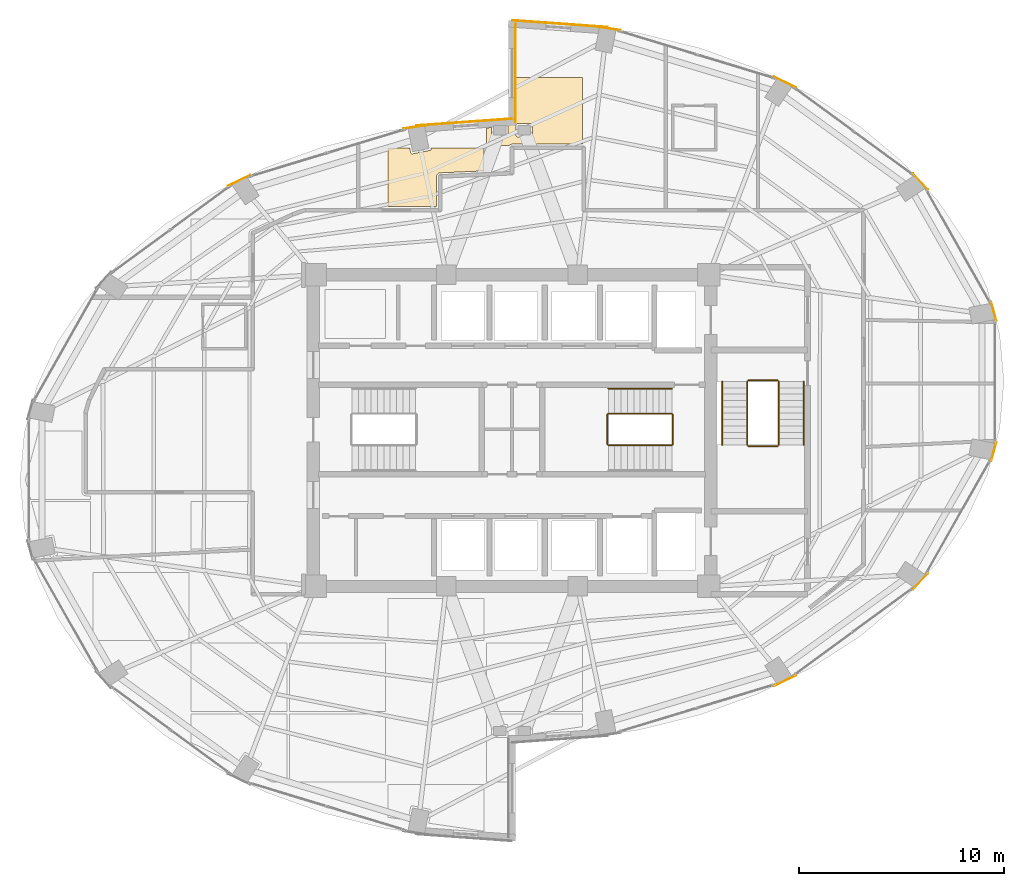
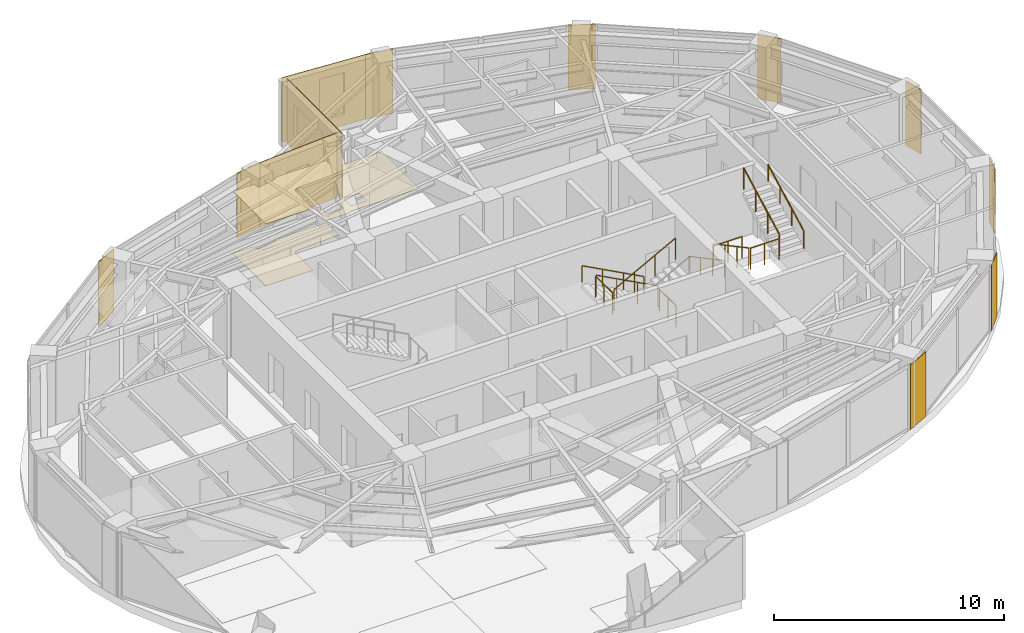
# One storey, part 20 of 20: 15 coverings, 11 railings.
"""IFC4 building model written with IfcOpenShell, lengths in metres."""

from ifc_helpers import new_model, si_unit, direction, frame, origin, origin_2d, place, context, subcontext, project, spatial, polyline, rectangle, circle, outline, extrude, material, layer, layer_set, type_object, element, save


model = new_model("IFC4")

# Units and contexts
model_context = context("Model", 3, precision=1e-05, world=origin(), true_north=direction((0.0, 1.0)))
body_context = subcontext(model_context, "Body", "Model", "MODEL_VIEW")
ifc_project = project(units=[si_unit("LENGTHUNIT", "METRE"), si_unit("AREAUNIT", "SQUARE_METRE"), si_unit("VOLUMEUNIT", "CUBIC_METRE"), si_unit("PLANEANGLEUNIT", "RADIAN"), si_unit("MASSUNIT", "GRAM", prefix="KILO")], contexts=[model_context])

# Site, building, storey
site_placement = place(None, origin())
site = spatial("IfcSite", under=ifc_project, at=site_placement, CompositionType="ELEMENT")
building_placement = place(site_placement, origin())
building = spatial("IfcBuilding", under=site, at=building_placement, Name="Lazwardi Medical Tower", CompositionType="ELEMENT")
storey_placement = place(building_placement, frame((0.0, 0.0, 138.2880859375)))
storey = spatial("IfcBuildingStorey", under=building, at=storey_placement, Name="L35", CompositionType="ELEMENT", Elevation=138.2880859375)

# Coverings
ifc_material_1 = material(Name="Anodised bronze aluminium cassette cladding", Category="aluminium")
ifc_layer_1 = layer(ifc_material_1, 0.030029296875)
ifc_layer_set_1 = layer_set([ifc_layer_1], Name="Anodised bronze aluminium cassette cladding")
covering_type_1 = type_object("IfcCoveringType", Name="COV-CLD-BRZ", PredefinedType="CLADDING", material=ifc_layer_set_1)
covering_1_placement = place(storey_placement, frame((49.31103515625, 15.798095703125, 0.0), z_axis=(0.0, 0.0, 1.0), x_axis=(0.898079014814, 0.439834154144, 0.0)))
element("IfcCovering", 1, at=covering_1_placement, inside=storey, type_object=covering_type_1, Name="L35 Mega-column bronze cassette cover M02", PredefinedType="CLADDING", context=body_context, shape_type="SweptSolid", body=[
    extrude(rectangle(XDim=1.200439453125, YDim=0.030029296875, at=origin_2d()), origin(), (0.0, 0.0, 1.0), 3.427978515625),
])
covering_2_placement = place(storey_placement, frame((55.92138671875, 20.643310546875, 0.0), z_axis=(0.0, 0.0, 1.0), x_axis=(0.673714459537, 0.738991763832, 0.0)))
element("IfcCovering", 2, at=covering_2_placement, inside=storey, type_object=covering_type_1, Name="L35 Mega-column bronze cassette cover M03", PredefinedType="CLADDING", context=body_context, shape_type="SweptSolid", body=[
    extrude(rectangle(XDim=1.0693359375, YDim=0.030029296875, at=origin_2d()), origin(), (0.0, 0.0, 1.0), 3.427978515625),
])
for number, where, z_axis, x_axis, name in (
    (3, (59.498779296875, 26.973876953125, 0.0), (0.0, 0.0, 1.0), (0.261828726257, 0.965114354938, 0.0), "L35 Mega-column bronze cassette cover M04"),
    (4, (59.498779296875, 33.826171875, 0.0), (0.0, 0.0, 1.0), (-0.261828726257, 0.965114354938, 0.0), "L35 Mega-column bronze cassette cover M05"),
):
    element("IfcCovering", number, at=place(storey_placement, frame(where, z_axis=z_axis, x_axis=x_axis)), inside=storey, type_object=covering_type_1, Name=name, PredefinedType="CLADDING", context=body_context, shape_type="SweptSolid", body=[
        extrude(rectangle(XDim=0.9658203125, YDim=0.030029296875, at=origin_2d()), origin(), (0.0, 0.0, 1.0), 3.427978515625),
    ])
covering_3_placement = place(storey_placement, frame((55.92138671875, 40.15673828125, 0.0), z_axis=(0.0, 0.0, 1.0), x_axis=(-0.673714459537, 0.738991763832, 0.0)))
element("IfcCovering", 5, at=covering_3_placement, inside=storey, type_object=covering_type_1, Name="L35 Mega-column bronze cassette cover M06", PredefinedType="CLADDING", context=body_context, shape_type="SweptSolid", body=[
    extrude(rectangle(XDim=1.0693359375, YDim=0.030029296875, at=origin_2d()), origin(), (0.0, 0.0, 1.0), 3.427978515625),
])
covering_4_placement = place(storey_placement, frame((49.31103515625, 45.001953125, 0.0), z_axis=(0.0, 0.0, 1.0), x_axis=(-0.898079014814, 0.439834154144, 0.0)))
element("IfcCovering", 6, at=covering_4_placement, inside=storey, type_object=covering_type_1, Name="L35 Mega-column bronze cassette cover M07", PredefinedType="CLADDING", context=body_context, shape_type="SweptSolid", body=[
    extrude(rectangle(XDim=1.200439453125, YDim=0.030029296875, at=origin_2d()), origin(), (0.0, 0.0, 1.0), 3.427978515625),
])
for number, where, z_axis, x_axis, name in (
    (7, (40.67431640625, 47.6240234375, 0.0), (0.0, 0.0, 1.0), (-0.989539138138, 0.144264666823, 0.0), "L35 Mega-column bronze cassette cover M08"),
    (8, (31.32568359375, 42.82421875, 0.0), (0.0, 0.0, 1.0), (-0.989539138138, -0.144264666823, 0.0), "L35 Mega-column bronze cassette cover M09"),
):
    element("IfcCovering", number, at=place(storey_placement, frame(where, z_axis=z_axis, x_axis=x_axis)), inside=storey, type_object=covering_type_1, Name=name, PredefinedType="CLADDING", context=body_context, shape_type="SweptSolid", body=[
        extrude(rectangle(XDim=1.28515625, YDim=0.030029296875, at=origin_2d()), origin(), (0.0, 0.0, 1.0), 3.427978515625),
    ])
covering_5_placement = place(storey_placement, frame((22.68896484375, 40.201904296875, 0.0), z_axis=(0.0, 0.0, 1.0), x_axis=(-0.898079014814, -0.439834154144, 0.0)))
element("IfcCovering", 9, at=covering_5_placement, inside=storey, type_object=covering_type_1, Name="L35 Mega-column bronze cassette cover M10", PredefinedType="CLADDING", context=body_context, shape_type="SweptSolid", body=[
    extrude(rectangle(XDim=1.200439453125, YDim=0.030029296875, at=origin_2d()), origin(), (0.0, 0.0, 1.0), 3.427978515625),
])
ifc_material_2 = material(Name="Turquoise glazed ceramic tilework cladding", Category="masonry")
ifc_layer_2 = layer(ifc_material_2, 0.034912109375)
ifc_layer_set_2 = layer_set([ifc_layer_2], Name="Turquoise glazed ceramic tilework cladding")
covering_type_2 = type_object("IfcCoveringType", Name="COV-CLD-TRQ", PredefinedType="CLADDING", material=ifc_layer_set_2)
covering_6_placement = place(storey_placement, frame((38.338134765625, 47.847412109375, 0.0), z_axis=(0.0, 0.0, 1.0), x_axis=(-0.997414510753, 0.071863020663, 0.0)))
element("IfcCovering", 10, at=covering_6_placement, inside=storey, type_object=covering_type_2, Name="L35 Turquoise glazed ceramic tilework cladding", PredefinedType="CLADDING", context=body_context, shape_type="SweptSolid", body=[
    extrude(rectangle(XDim=4.6630859375, YDim=0.034912109375, at=origin_2d()), origin(), (0.0, 0.0, 1.0), 3.427978515625),
])
covering_7_placement = place(storey_placement, frame((33.66162109375, 43.047607421875, 0.0), z_axis=(0.0, 0.0, 1.0), x_axis=(-0.997414134466, -0.071868243112, 0.0)))
element("IfcCovering", 11, at=covering_7_placement, inside=storey, type_object=covering_type_2, Name="L35 Turquoise glazed ceramic tilework cladding", PredefinedType="CLADDING", context=body_context, shape_type="SweptSolid", body=[
    extrude(rectangle(XDim=4.66259765625, YDim=0.034912109375, at=origin_2d()), origin(), (0.0, 0.0, 1.0), 3.427978515625),
])
covering_8_placement = place(storey_placement, frame((36.175537109375, 45.43994140625, 0.0), z_axis=(0.0, 0.0, 1.0), x_axis=(0.0, -1.0, 0.0)))
element("IfcCovering", 12, at=covering_8_placement, inside=storey, type_object=covering_type_2, Name="L35 Turquoise glazed ceramic tilework iwan panel", PredefinedType="CLADDING", context=body_context, shape_type="SweptSolid", body=[
    extrude(rectangle(XDim=4.800048828125, YDim=0.034912109375, at=origin_2d()), origin(), (0.0, 0.0, 1.0), 3.427978515625),
])
ifc_material_3 = material(Name="Acoustic mineral fibre tile")
ifc_layer_3 = layer(ifc_material_3, 0.02490234375)
ifc_layer_set_3 = layer_set([ifc_layer_3], Name="Acoustic mineral fibre tile")
covering_type_3 = type_object("IfcCoveringType", Name="COV-CLG-01", PredefinedType="CEILING", material=ifc_layer_set_3)
covering_9_placement = place(storey_placement, frame((0.0, 0.0, 3.282958984375)))
element("IfcCovering", 13, at=covering_9_placement, inside=storey, type_object=covering_type_3, Name="L35 Clinical Acoustic Ceiling 9", PredefinedType="CEILING", context=body_context, shape_type="SweptSolid", body=[
    extrude(outline(polyline([(32.052490234375, 41.782470703125), (32.05615234375, 41.7646484375), (32.05712890625, 41.7568359375), (32.0576171875, 41.7490234375), (32.05712890625, 41.7412109375), (32.05615234375, 41.7333984375), (32.05419921875, 41.725830078125), (32.051513671875, 41.718505859375), (32.048095703125, 41.71142578125), (32.044189453125, 41.70458984375), (32.039306640625, 41.698486328125), (32.0341796875, 41.6923828125), (32.0283203125, 41.687255859375), (32.02197265625, 41.6826171875), (32.015380859375, 41.678466796875), (32.00830078125, 41.67529296875), (32.000732421875, 41.672607421875), (31.9931640625, 41.670654296875), (31.149658203125, 41.502685546875), (31.141845703125, 41.501708984375), (31.134033203125, 41.501220703125), (31.126220703125, 41.501708984375), (31.118408203125, 41.502685546875), (31.11083984375, 41.504638671875), (31.103515625, 41.50732421875), (31.096435546875, 41.5107421875), (31.089599609375, 41.514892578125), (31.083251953125, 41.51953125), (31.077392578125, 41.524658203125), (31.072265625, 41.530517578125), (31.067626953125, 41.536865234375), (31.0634765625, 41.543701171875), (31.060302734375, 41.55078125), (31.0576171875, 41.55810546875), (31.0556640625, 41.565673828125), (31.012451171875, 41.782470703125), (29.952880859375, 41.782470703125), (29.952880859375, 38.925048828125), (32.324951171875, 38.925048828125), (32.324951171875, 40.3994140625), (32.3251953125, 40.40283203125), (32.325439453125, 40.411865234375), (32.326171875, 40.419921875), (32.327392578125, 40.428955078125), (32.3291015625, 40.436767578125), (32.331298828125, 40.445556640625), (32.3330078125, 40.45166015625), (32.3359375, 40.460205078125), (32.339111328125, 40.46826171875), (32.343017578125, 40.4765625), (32.34619140625, 40.48291015625), (32.350830078125, 40.49072265625), (32.35498046875, 40.497314453125), (32.3603515625, 40.504638671875), (32.364990234375, 40.510498046875), (32.370849609375, 40.517333984375), (32.376220703125, 40.522705078125), (32.3828125, 40.529052734375), (32.388427734375, 40.533935546875), (32.3955078125, 40.53955078125), (32.40234375, 40.54443359375), (32.409912109375, 40.54931640625), (32.415283203125, 40.552490234375), (32.42333984375, 40.556640625), (32.431640625, 40.560302734375), (32.440185546875, 40.563720703125), (32.44580078125, 40.565673828125), (32.45458984375, 40.568359375), (32.462646484375, 40.5703125), (32.4716796875, 40.572021484375), (32.4794921875, 40.572998046875), (32.488525390625, 40.573974609375), (32.491943359375, 40.57421875), (34.6328125, 40.67236328125), (34.6328125, 41.782470703125), (32.052490234375, 41.782470703125)])), origin(), (0.0, 0.0, 1.0), 0.02490234375),
])
ifc_material_4 = material(Name="Anti-static hospital vinyl sheet flooring")
ifc_layer_4 = layer(ifc_material_4, 0.014892578125)
ifc_layer_set_4 = layer_set([ifc_layer_4], Name="Anti-static hospital vinyl sheet flooring")
covering_type_4 = type_object("IfcCoveringType", Name="COV-FLR-01", PredefinedType="FLOORING", material=ifc_layer_set_4)
covering_10_placement = place(storey_placement, origin())
element("IfcCovering", 14, at=covering_10_placement, inside=storey, type_object=covering_type_4, Name="L35 Clinical Vinyl Flooring 8", PredefinedType="FLOORING", context=body_context, shape_type="SweptSolid", body=[
    extrude(outline(polyline([(32.052490234375, 41.782470703125), (32.05615234375, 41.7646484375), (32.05712890625, 41.7568359375), (32.0576171875, 41.7490234375), (32.05712890625, 41.7412109375), (32.05615234375, 41.7333984375), (32.05419921875, 41.725830078125), (32.051513671875, 41.718505859375), (32.048095703125, 41.71142578125), (32.044189453125, 41.70458984375), (32.039306640625, 41.698486328125), (32.0341796875, 41.6923828125), (32.0283203125, 41.687255859375), (32.02197265625, 41.6826171875), (32.015380859375, 41.678466796875), (32.00830078125, 41.67529296875), (32.000732421875, 41.672607421875), (31.9931640625, 41.670654296875), (31.149658203125, 41.502685546875), (31.141845703125, 41.501708984375), (31.134033203125, 41.501220703125), (31.126220703125, 41.501708984375), (31.118408203125, 41.502685546875), (31.11083984375, 41.504638671875), (31.103515625, 41.50732421875), (31.096435546875, 41.5107421875), (31.089599609375, 41.514892578125), (31.083251953125, 41.51953125), (31.077392578125, 41.524658203125), (31.072265625, 41.530517578125), (31.067626953125, 41.536865234375), (31.0634765625, 41.543701171875), (31.060302734375, 41.55078125), (31.0576171875, 41.55810546875), (31.0556640625, 41.565673828125), (31.012451171875, 41.782470703125), (29.952880859375, 41.782470703125), (29.952880859375, 38.925048828125), (32.324951171875, 38.925048828125), (32.324951171875, 40.3994140625), (32.3251953125, 40.40283203125), (32.325439453125, 40.411865234375), (32.326171875, 40.419921875), (32.327392578125, 40.428955078125), (32.3291015625, 40.436767578125), (32.331298828125, 40.445556640625), (32.3330078125, 40.45166015625), (32.3359375, 40.460205078125), (32.339111328125, 40.46826171875), (32.343017578125, 40.4765625), (32.34619140625, 40.48291015625), (32.350830078125, 40.49072265625), (32.35498046875, 40.497314453125), (32.3603515625, 40.504638671875), (32.364990234375, 40.510498046875), (32.370849609375, 40.517333984375), (32.376220703125, 40.522705078125), (32.3828125, 40.529052734375), (32.388427734375, 40.533935546875), (32.3955078125, 40.53955078125), (32.40234375, 40.54443359375), (32.409912109375, 40.54931640625), (32.415283203125, 40.552490234375), (32.42333984375, 40.556640625), (32.431640625, 40.560302734375), (32.440185546875, 40.563720703125), (32.44580078125, 40.565673828125), (32.45458984375, 40.568359375), (32.462646484375, 40.5703125), (32.4716796875, 40.572021484375), (32.4794921875, 40.572998046875), (32.488525390625, 40.573974609375), (32.491943359375, 40.57421875), (34.6328125, 40.67236328125), (34.6328125, 41.782470703125), (32.052490234375, 41.782470703125)])), origin(), (0.0, 0.0, 1.0), 0.014892578125),
])
covering_11_placement = place(storey_placement, origin())
element("IfcCovering", 15, at=covering_11_placement, inside=storey, type_object=covering_type_4, Name="L35 Clinical Vinyl Flooring 10", PredefinedType="FLOORING", context=body_context, shape_type="SweptSolid", body=[
    extrude(outline(polyline([(36.080078125, 45.232421875), (36.080078125, 43.02001953125), (36.07958984375, 43.012451171875), (36.07861328125, 43.0048828125), (36.076904296875, 42.99755859375), (36.07421875, 42.990234375), (36.071044921875, 42.9833984375), (36.0673828125, 42.976806640625), (36.06298828125, 42.970703125), (36.057861328125, 42.96484375), (36.052490234375, 42.959716796875), (36.04638671875, 42.954833984375), (36.0400390625, 42.95068359375), (36.033203125, 42.947265625), (36.0263671875, 42.9443359375), (36.01904296875, 42.9423828125), (36.011474609375, 42.94091796875), (35.798583984375, 42.909912109375), (35.799560546875, 42.90283203125), (35.800048828125, 42.89501953125), (35.800048828125, 42.405029296875), (35.799560546875, 42.397216796875), (35.798583984375, 42.389404296875), (35.796630859375, 42.3818359375), (35.7939453125, 42.37451171875), (35.79052734375, 42.3671875), (35.78662109375, 42.360595703125), (35.78173828125, 42.354248046875), (35.776611328125, 42.348388671875), (35.770751953125, 42.34326171875), (35.764404296875, 42.33837890625), (35.7578125, 42.33447265625), (35.75048828125, 42.3310546875), (35.7431640625, 42.328369140625), (35.735595703125, 42.326416015625), (35.727783203125, 42.325439453125), (35.719970703125, 42.324951171875), (35.080078125, 42.324951171875), (35.072265625, 42.325439453125), (35.064453125, 42.326416015625), (35.056884765625, 42.328369140625), (35.04931640625, 42.3310546875), (35.042236328125, 42.33447265625), (35.03564453125, 42.33837890625), (35.029296875, 42.34326171875), (35.0234375, 42.348388671875), (35.018310546875, 42.354248046875), (35.013427734375, 42.360595703125), (35.009521484375, 42.3671875), (35.006103515625, 42.37451171875), (35.00341796875, 42.3818359375), (35.00146484375, 42.389404296875), (35.00048828125, 42.397216796875), (35.0, 42.405029296875), (35.0, 42.793701171875), (34.7529296875, 42.7578125), (34.7529296875, 41.902587890625), (35.8583984375, 41.902587890625), (35.862548828125, 41.908203125), (35.8671875, 41.913818359375), (35.873291015625, 41.920654296875), (35.87939453125, 41.9267578125), (35.88623046875, 41.932861328125), (35.891845703125, 41.9375), (35.8994140625, 41.943115234375), (35.906005859375, 41.947509765625), (35.9140625, 41.952392578125), (35.9208984375, 41.9560546875), (35.92919921875, 41.9599609375), (35.93701171875, 41.96337890625), (35.94580078125, 41.96630859375), (35.952880859375, 41.968505859375), (35.9619140625, 41.970703125), (35.97021484375, 41.972412109375), (35.9794921875, 41.9736328125), (35.986328125, 41.974365234375), (35.99560546875, 41.974853515625), (36.0, 41.97509765625), (39.432861328125, 41.97509765625), (39.432861328125, 45.232421875), (36.080078125, 45.232421875)]), holes=[polyline([(36.943115234375, 42.328369140625), (36.935546875, 42.326416015625), (36.927734375, 42.325439453125), (36.919921875, 42.324951171875), (36.280029296875, 42.324951171875), (36.272216796875, 42.325439453125), (36.264404296875, 42.326416015625), (36.2568359375, 42.328369140625), (36.24951171875, 42.3310546875), (36.2421875, 42.33447265625), (36.235595703125, 42.33837890625), (36.229248046875, 42.34326171875), (36.223388671875, 42.348388671875), (36.21826171875, 42.354248046875), (36.21337890625, 42.360595703125), (36.20947265625, 42.3671875), (36.2060546875, 42.37451171875), (36.203369140625, 42.3818359375), (36.201416015625, 42.389404296875), (36.200439453125, 42.397216796875), (36.199951171875, 42.405029296875), (36.199951171875, 42.89501953125), (36.200439453125, 42.90283203125), (36.201416015625, 42.91064453125), (36.203369140625, 42.918212890625), (36.2060546875, 42.925537109375), (36.20947265625, 42.9326171875), (36.21337890625, 42.939453125), (36.21826171875, 42.94580078125), (36.223388671875, 42.95166015625), (36.229248046875, 42.956787109375), (36.235595703125, 42.96142578125), (36.2421875, 42.965576171875), (36.24951171875, 42.968994140625), (36.2568359375, 42.9716796875), (36.264404296875, 42.973388671875), (36.272216796875, 42.974609375), (36.280029296875, 42.97509765625), (36.919921875, 42.97509765625), (36.927734375, 42.974609375), (36.935546875, 42.973388671875), (36.943115234375, 42.9716796875), (36.95068359375, 42.968994140625), (36.957763671875, 42.965576171875), (36.96435546875, 42.96142578125), (36.970703125, 42.956787109375), (36.9765625, 42.95166015625), (36.981689453125, 42.94580078125), (36.986572265625, 42.939453125), (36.990478515625, 42.9326171875), (36.993896484375, 42.925537109375), (36.99658203125, 42.918212890625), (36.99853515625, 42.91064453125), (36.99951171875, 42.90283203125), (37.0, 42.89501953125), (37.0, 42.405029296875), (36.99951171875, 42.397216796875), (36.99853515625, 42.389404296875), (36.99658203125, 42.3818359375), (36.993896484375, 42.37451171875), (36.990478515625, 42.3671875), (36.986572265625, 42.360595703125), (36.981689453125, 42.354248046875), (36.9765625, 42.348388671875), (36.970703125, 42.34326171875), (36.96435546875, 42.33837890625), (36.957763671875, 42.33447265625), (36.95068359375, 42.3310546875), (36.943115234375, 42.328369140625)])]), origin(), (0.0, 0.0, 1.0), 0.014892578125),
])

# Railings
ifc_material_5 = material(Name="Stainless steel Grade 316", Category="steel")
railing_type_1 = type_object("IfcRailingType", Name="RLG-GRD-1150", PredefinedType="GUARDRAIL", material=ifc_material_5)
railing_1_placement = place(storey_placement, frame((43.800048828125, 28.830078125, 0.165771484375)))
element("IfcRailing", 16, at=railing_1_placement, inside=storey, type_object=railing_type_1, Name="L35 ST2 stair guard 1", PredefinedType="GUARDRAIL", context=body_context, shape_type="SweptSolid", body=[
    extrude(circle(Radius=0.02392578125, at=origin_2d()), frame((0.0, 0.0, 1.1259765625), z_axis=(-0.881783298633, 0.0, 0.471654761719), x_axis=(0.0, -1.0, 0.0)), (0.0, 0.0, 1.0), 3.515625),
    extrude(circle(Radius=0.02099609375, at=origin_2d()), origin(), (0.0, 0.0, 1.0), 1.099853515625),
    extrude(circle(Radius=0.02099609375, at=origin_2d()), frame((-1.033447265625, 0.0, 0.552734375)), (0.0, 0.0, 1.0), 1.099853515625),
    extrude(circle(Radius=0.02099609375, at=origin_2d()), frame((-2.066650390625, 0.0, 1.10546875)), (0.0, 0.0, 1.0), 1.099853515625),
    extrude(circle(Radius=0.02099609375, at=origin_2d()), frame((-3.10009765625, 0.0, 1.658203125)), (0.0, 0.0, 1.0), 1.099853515625),
])
railing_2_placement = place(storey_placement, frame((40.64990234375, 28.780029296875, 1.823974609375)))
element("IfcRailing", 17, at=railing_2_placement, inside=storey, type_object=railing_type_1, Name="L35 ST2 stair guard 2", PredefinedType="GUARDRAIL", context=body_context, shape_type="SweptSolid", body=[
    extrude(circle(Radius=0.02392578125, at=origin_2d()), frame((0.0, 0.0, 1.1259765625), z_axis=(0.0, -1.0, 0.0), x_axis=(1.0, 0.0, 0.0)), (0.0, 0.0, 1.0), 1.43994140625),
    extrude(circle(Radius=0.02099609375, at=origin_2d()), origin(), (0.0, 0.0, 1.0), 1.099853515625),
    extrude(circle(Radius=0.02099609375, at=origin_2d()), frame((0.0, -0.719970703125, 0.0)), (0.0, 0.0, 1.0), 1.099853515625),
    extrude(circle(Radius=0.02099609375, at=origin_2d()), frame((0.0, -1.43994140625, 0.0)), (0.0, 0.0, 1.0), 1.099853515625),
])
railing_3_placement = place(storey_placement, frame((40.699951171875, 27.2900390625, 1.98974609375)))
element("IfcRailing", 18, at=railing_3_placement, inside=storey, type_object=railing_type_1, Name="L35 ST2 stair guard 3", PredefinedType="GUARDRAIL", context=body_context, shape_type="SweptSolid", body=[
    extrude(circle(Radius=0.02392578125, at=origin_2d()), frame((0.0, 0.0, 1.1259765625), z_axis=(0.881783298633, 0.0, 0.471654761719), x_axis=(0.0, 1.0, 0.0)), (0.0, 0.0, 1.0), 3.515625),
    extrude(circle(Radius=0.02099609375, at=origin_2d()), origin(), (0.0, 0.0, 1.0), 1.099853515625),
    extrude(circle(Radius=0.02099609375, at=origin_2d()), frame((1.033447265625, 0.0, 0.552734375)), (0.0, 0.0, 1.0), 1.099853515625),
    extrude(circle(Radius=0.02099609375, at=origin_2d()), frame((2.066650390625, 0.0, 1.10546875)), (0.0, 0.0, 1.0), 1.099853515625),
    extrude(circle(Radius=0.02099609375, at=origin_2d()), frame((3.10009765625, 0.0, 1.658203125)), (0.0, 0.0, 1.0), 1.099853515625),
])
railing_4_placement = place(storey_placement, frame((43.85009765625, 28.780029296875, 0.0)))
element("IfcRailing", 19, at=railing_4_placement, inside=storey, type_object=railing_type_1, Name="L35 ST2 stair guard 4", PredefinedType="GUARDRAIL", context=body_context, shape_type="SweptSolid", body=[
    extrude(circle(Radius=0.02392578125, at=origin_2d()), frame((0.0, 0.0, 1.1259765625), z_axis=(0.0, -1.0, 0.0), x_axis=(1.0, 0.0, 0.0)), (0.0, 0.0, 1.0), 1.43994140625),
    extrude(circle(Radius=0.02099609375, at=origin_2d()), origin(), (0.0, 0.0, 1.0), 1.099853515625),
    extrude(circle(Radius=0.02099609375, at=origin_2d()), frame((0.0, -0.719970703125, 0.0)), (0.0, 0.0, 1.0), 1.099853515625),
    extrude(circle(Radius=0.02099609375, at=origin_2d()), frame((0.0, -1.43994140625, 0.0)), (0.0, 0.0, 1.0), 1.099853515625),
])
railing_5_placement = place(storey_placement, frame((47.469970703125, 30.39990234375, 0.165771484375)))
element("IfcRailing", 20, at=railing_5_placement, inside=storey, type_object=railing_type_1, Name="L35 ST3 stair guard 1", PredefinedType="GUARDRAIL", context=body_context, shape_type="SweptSolid", body=[
    extrude(circle(Radius=0.02392578125, at=origin_2d()), frame((0.0, 0.0, 1.1259765625), z_axis=(0.0, -0.881767849116, 0.471683644262), x_axis=(1.0, 0.0, 0.0)), (0.0, 0.0, 1.0), 3.515380859375),
    extrude(circle(Radius=0.02099609375, at=origin_2d()), origin(), (0.0, 0.0, 1.0), 1.099853515625),
    extrude(circle(Radius=0.02099609375, at=origin_2d()), frame((0.0, -1.033203125, 0.552734375)), (0.0, 0.0, 1.0), 1.099853515625),
    extrude(circle(Radius=0.02099609375, at=origin_2d()), frame((0.0, -2.066650390625, 1.10546875)), (0.0, 0.0, 1.0), 1.099853515625),
    extrude(circle(Radius=0.02099609375, at=origin_2d()), frame((0.0, -3.099853515625, 1.658203125)), (0.0, 0.0, 1.0), 1.099853515625),
])
railing_6_placement = place(storey_placement, frame((47.52001953125, 27.25, 1.823974609375)))
element("IfcRailing", 21, at=railing_6_placement, inside=storey, type_object=railing_type_1, Name="L35 ST3 stair guard 2", PredefinedType="GUARDRAIL", context=body_context, shape_type="SweptSolid", body=[
    extrude(circle(Radius=0.02392578125, at=origin_2d()), frame((0.0, 0.0, 1.1259765625), z_axis=(1.0, 0.0, 0.0), x_axis=(0.0, 1.0, 0.0)), (0.0, 0.0, 1.0), 1.43994140625),
    extrude(circle(Radius=0.02099609375, at=origin_2d()), origin(), (0.0, 0.0, 1.0), 1.099853515625),
    extrude(circle(Radius=0.02099609375, at=origin_2d()), frame((0.719970703125, 0.0, 0.0)), (0.0, 0.0, 1.0), 1.099853515625),
    extrude(circle(Radius=0.02099609375, at=origin_2d()), frame((1.43994140625, 0.0, 0.0)), (0.0, 0.0, 1.0), 1.099853515625),
])
railing_7_placement = place(storey_placement, frame((49.010009765625, 27.300048828125, 1.98974609375)))
element("IfcRailing", 22, at=railing_7_placement, inside=storey, type_object=railing_type_1, Name="L35 ST3 stair guard 3", PredefinedType="GUARDRAIL", context=body_context, shape_type="SweptSolid", body=[
    extrude(circle(Radius=0.02392578125, at=origin_2d()), frame((0.0, 0.0, 1.1259765625), z_axis=(0.0, 0.881767849116, 0.471683644262), x_axis=(-1.0, 0.0, 0.0)), (0.0, 0.0, 1.0), 3.515380859375),
    extrude(circle(Radius=0.02099609375, at=origin_2d()), origin(), (0.0, 0.0, 1.0), 1.099853515625),
    extrude(circle(Radius=0.02099609375, at=origin_2d()), frame((0.0, 1.033203125, 0.552734375)), (0.0, 0.0, 1.0), 1.099853515625),
    extrude(circle(Radius=0.02099609375, at=origin_2d()), frame((0.0, 2.066650390625, 1.10546875)), (0.0, 0.0, 1.0), 1.099853515625),
    extrude(circle(Radius=0.02099609375, at=origin_2d()), frame((0.0, 3.099853515625, 1.658203125)), (0.0, 0.0, 1.0), 1.099853515625),
])
railing_8_placement = place(storey_placement, frame((47.52001953125, 30.449951171875, 0.0)))
element("IfcRailing", 23, at=railing_8_placement, inside=storey, type_object=railing_type_1, Name="L35 ST3 stair guard 4", PredefinedType="GUARDRAIL", context=body_context, shape_type="SweptSolid", body=[
    extrude(circle(Radius=0.02392578125, at=origin_2d()), frame((0.0, 0.0, 1.1259765625), z_axis=(1.0, 0.0, 0.0), x_axis=(0.0, 1.0, 0.0)), (0.0, 0.0, 1.0), 1.43994140625),
    extrude(circle(Radius=0.02099609375, at=origin_2d()), origin(), (0.0, 0.0, 1.0), 1.099853515625),
    extrude(circle(Radius=0.02099609375, at=origin_2d()), frame((0.719970703125, 0.0, 0.0)), (0.0, 0.0, 1.0), 1.099853515625),
    extrude(circle(Radius=0.02099609375, at=origin_2d()), frame((1.43994140625, 0.0, 0.0)), (0.0, 0.0, 1.0), 1.099853515625),
])
railing_type_2 = type_object("IfcRailingType", Name="RLG-HND-920", PredefinedType="HANDRAIL", material=ifc_material_5)
railing_9_placement = place(storey_placement, frame((43.800048828125, 30.050048828125, 0.165771484375)))
element("IfcRailing", 24, at=railing_9_placement, inside=storey, type_object=railing_type_2, Name="L35 ST2 stair handrail 1", PredefinedType="HANDRAIL", context=body_context, shape_type="SweptSolid", body=[
    extrude(circle(Radius=0.02392578125, at=origin_2d()), frame((0.0, 0.0, 0.8857421875), z_axis=(-0.881783298633, 0.0, 0.471654761719), x_axis=(0.0, -1.0, 0.0)), (0.0, 0.0, 1.0), 3.515625),
    extrude(circle(Radius=0.02099609375, at=origin_2d()), origin(), (0.0, 0.0, 1.0), 0.85986328125),
    extrude(circle(Radius=0.02099609375, at=origin_2d()), frame((-1.033447265625, 0.0, 0.552734375)), (0.0, 0.0, 1.0), 0.85986328125),
    extrude(circle(Radius=0.02099609375, at=origin_2d()), frame((-2.066650390625, 0.0, 1.10546875)), (0.0, 0.0, 1.0), 0.85986328125),
    extrude(circle(Radius=0.02099609375, at=origin_2d()), frame((-3.10009765625, 0.0, 1.658203125)), (0.0, 0.0, 1.0), 0.85986328125),
])
railing_10_placement = place(storey_placement, frame((46.25, 30.39990234375, 0.165771484375)))
element("IfcRailing", 25, at=railing_10_placement, inside=storey, type_object=railing_type_2, Name="L35 ST3 stair handrail 1", PredefinedType="HANDRAIL", context=body_context, shape_type="SweptSolid", body=[
    extrude(circle(Radius=0.02392578125, at=origin_2d()), frame((0.0, 0.0, 0.8857421875), z_axis=(0.0, -0.881767849116, 0.471683644262), x_axis=(1.0, 0.0, 0.0)), (0.0, 0.0, 1.0), 3.515380859375),
    extrude(circle(Radius=0.02099609375, at=origin_2d()), origin(), (0.0, 0.0, 1.0), 0.85986328125),
    extrude(circle(Radius=0.02099609375, at=origin_2d()), frame((0.0, -1.033203125, 0.552734375)), (0.0, 0.0, 1.0), 0.85986328125),
    extrude(circle(Radius=0.02099609375, at=origin_2d()), frame((0.0, -2.066650390625, 1.10546875)), (0.0, 0.0, 1.0), 0.85986328125),
    extrude(circle(Radius=0.02099609375, at=origin_2d()), frame((0.0, -3.099853515625, 1.658203125)), (0.0, 0.0, 1.0), 0.85986328125),
])
railing_11_placement = place(storey_placement, frame((50.22998046875, 27.300048828125, 1.98974609375)))
element("IfcRailing", 26, at=railing_11_placement, inside=storey, type_object=railing_type_2, Name="L35 ST3 stair handrail 2", PredefinedType="HANDRAIL", context=body_context, shape_type="SweptSolid", body=[
    extrude(circle(Radius=0.02392578125, at=origin_2d()), frame((0.0, 0.0, 0.8857421875), z_axis=(0.0, 0.881767849116, 0.471683644262), x_axis=(-1.0, 0.0, 0.0)), (0.0, 0.0, 1.0), 3.515380859375),
    extrude(circle(Radius=0.02099609375, at=origin_2d()), origin(), (0.0, 0.0, 1.0), 0.85986328125),
    extrude(circle(Radius=0.02099609375, at=origin_2d()), frame((0.0, 1.033203125, 0.552734375)), (0.0, 0.0, 1.0), 0.85986328125),
    extrude(circle(Radius=0.02099609375, at=origin_2d()), frame((0.0, 2.066650390625, 1.10546875)), (0.0, 0.0, 1.0), 0.85986328125),
    extrude(circle(Radius=0.02099609375, at=origin_2d()), frame((0.0, 3.099853515625, 1.658203125)), (0.0, 0.0, 1.0), 0.85986328125),
])

save(model, "model.ifc")
